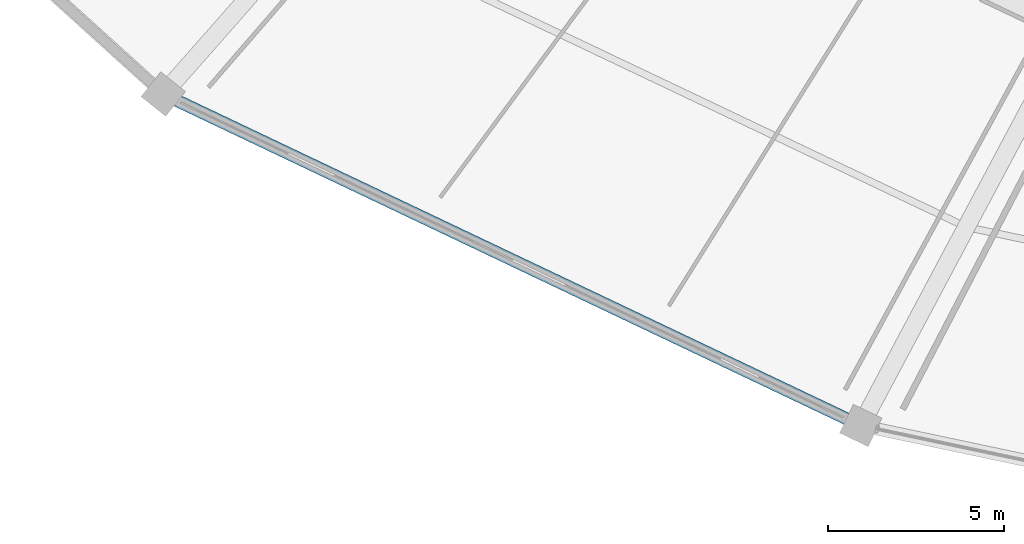
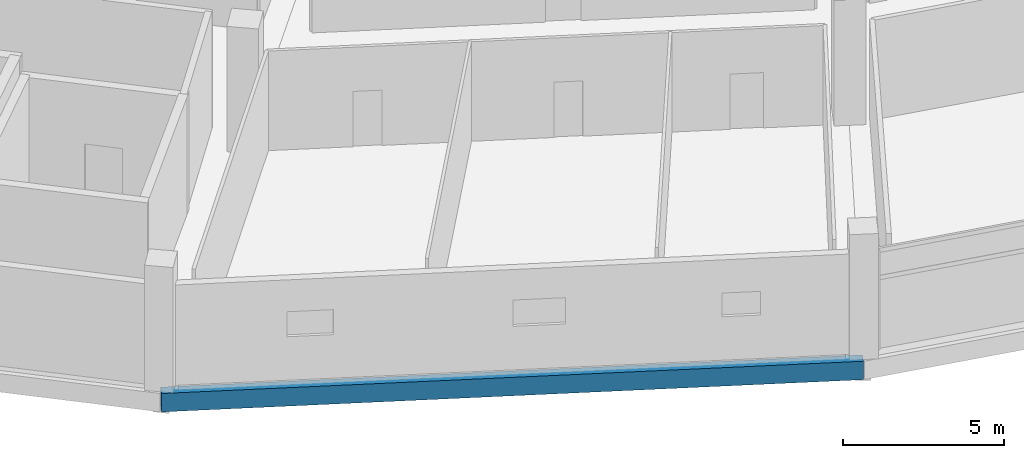
# One storey, part 3 of 171: 1 beam.
"""IFC4 building model written with IfcOpenShell, lengths in metres."""

from ifc_helpers import new_model, si_unit, direction, frame, origin, origin_2d, place, context, subcontext, project, spatial, rectangle, extrude, material, material_profile, profile_set, type_object, element, save


model = new_model("IFC4")

# Units and contexts
model_context = context("Model", 3, precision=1e-05, world=origin(), true_north=direction((0.0, 1.0)))
body_context = subcontext(model_context, "Body", "Model", "MODEL_VIEW")
ifc_project = project(units=[si_unit("LENGTHUNIT", "METRE"), si_unit("AREAUNIT", "SQUARE_METRE"), si_unit("VOLUMEUNIT", "CUBIC_METRE"), si_unit("PLANEANGLEUNIT", "RADIAN"), si_unit("MASSUNIT", "GRAM", prefix="KILO")], contexts=[model_context])

# Site, building, storey
site_placement = place(None, origin())
site = spatial("IfcSite", under=ifc_project, at=site_placement, CompositionType="ELEMENT")
building_placement = place(site_placement, origin())
building = spatial("IfcBuilding", under=site, at=building_placement, Name="Kazemori Nagisa Stadium", CompositionType="ELEMENT")
storey_placement = place(building_placement, frame((0.0, 0.0, 15.639892578125)))
storey = spatial("IfcBuildingStorey", under=building, at=storey_placement, Name="L03", CompositionType="ELEMENT", Elevation=15.639892578125)

# Beam
ifc_material = material(Name="Concrete C40/50 (Fc42)", Category="concrete")
ifc_material_profile = material_profile(ifc_material, rectangle(XDim=0.35009765625, YDim=0.699951171875, at=origin_2d()), Name="RC-SP-350x700")
ifc_profile_set = profile_set([ifc_material_profile], Name="Concrete C40/50 (Fc42)")
beam_type = type_object("IfcBeamType", Name="Beam_BS-RC350X700", PredefinedType="SPANDREL", material=ifc_profile_set)
beam_placement = place(storey_placement, frame((60.402099609375, 30.94091796875, -0.60986328125), z_axis=(0.903215644095, -0.429187022475, 0.0), x_axis=(0.429187022475, 0.903215644095, 0.0)))
element("IfcBeam", 1, at=beam_placement, inside=storey, type_object=beam_type, Name="Ring girder BS-RC350X700 L03 R3-19", PredefinedType="SPANDREL", context=body_context, shape_type="SweptSolid", body=[
    extrude(rectangle(XDim=0.35009765625, YDim=0.699951171875, at=origin_2d()), origin(), (0.0, 0.0, 1.0), 21.9140625),
])

save(model, "model.ifc")
